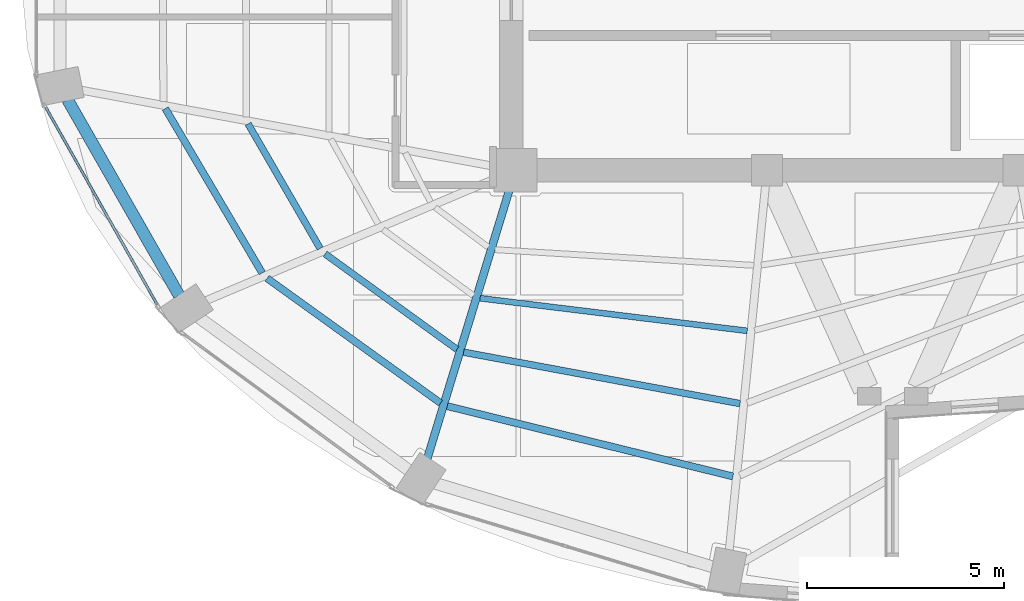
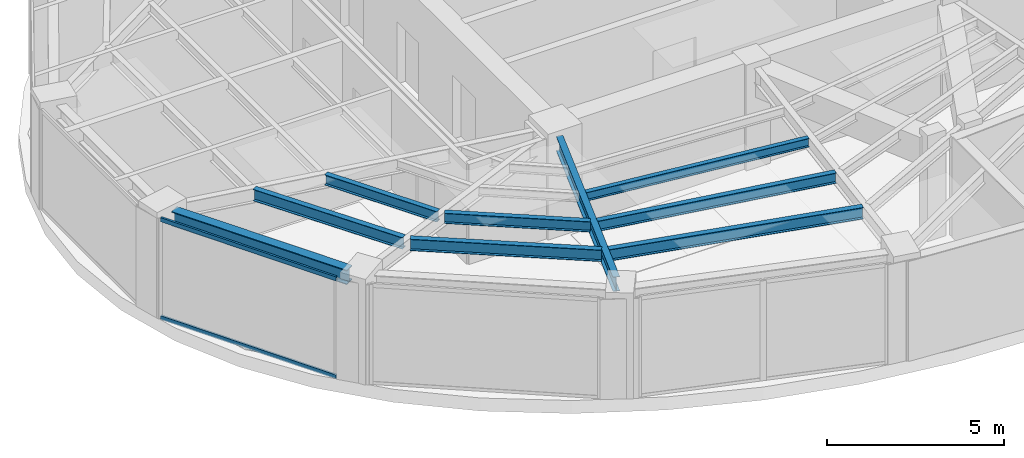
# One storey, part 3 of 23: 9 beams, 2 members, 1 element without a shape of its own.
"""IFC4 building model written with IfcOpenShell, lengths in metres."""

from ifc_helpers import new_model, si_unit, direction, frame, origin, origin_2d, place, context, subcontext, project, spatial, hollow_rectangle, i_section, extrude, material, layer, layer_set, material_profile, profile_set, type_object, element, aggregate, save


model = new_model("IFC4")

# Units and contexts
model_context = context("Model", 3, precision=1e-05, world=origin(), true_north=direction((0.0, 1.0)))
body_context = subcontext(model_context, "Body", "Model", "MODEL_VIEW")
ifc_project = project(units=[si_unit("LENGTHUNIT", "METRE"), si_unit("AREAUNIT", "SQUARE_METRE"), si_unit("VOLUMEUNIT", "CUBIC_METRE"), si_unit("PLANEANGLEUNIT", "RADIAN"), si_unit("MASSUNIT", "GRAM", prefix="KILO")], contexts=[model_context])

# Site, building, storey
site_placement = place(None, origin())
site = spatial("IfcSite", under=ifc_project, at=site_placement, CompositionType="ELEMENT")
building_placement = place(site_placement, origin())
building = spatial("IfcBuilding", under=site, at=building_placement, Name="Lazwardi Medical Tower", CompositionType="ELEMENT")
storey_placement = place(building_placement, frame((0.0, 0.0, 194.83203125)))
storey = spatial("IfcBuildingStorey", under=building, at=storey_placement, Name="L50", CompositionType="ELEMENT", Elevation=194.83203125)

# Beams
ifc_material_1 = material(Name="Steel S355", Category="steel")
ifc_material_profile_1 = material_profile(ifc_material_1, i_section(OverallWidth=0.300048828125, OverallDepth=0.5, WebThickness=0.014404296875, FlangeThickness=0.028076171875, at=origin_2d()), Name="HEB 500")
ifc_profile_set_1 = profile_set([ifc_material_profile_1], Name="Steel S355")
beam_type_1 = type_object("IfcBeamType", Name="BM-RB-Z4", PredefinedType="BEAM", material=ifc_profile_set_1)
beam_1_placement = place(storey_placement, frame((15.008056640625, 22.1982421875, 3.197998046875), z_axis=(0.495125273299, -0.868821594886, 0.0), x_axis=(0.868821594886, 0.495125273299, 0.0)))
element("IfcBeam", 1, at=beam_1_placement, inside=storey, type_object=beam_type_1, Name="Ring beam RB-05 B13 L50", PredefinedType="BEAM", context=body_context, shape_type="SweptSolid", body=[
    extrude(i_section(OverallWidth=0.300048828125, OverallDepth=0.5, WebThickness=0.014404296875, FlangeThickness=0.028076171875, at=origin_2d()), origin(), (0.0, 0.0, 1.0), 5.734130859375),
])
ifc_material_profile_2 = material_profile(ifc_material_1, i_section(OverallWidth=0.199951171875, OverallDepth=0.5, WebThickness=0.01025390625, FlangeThickness=0.01611328125, at=origin_2d()), Name="IPE 500")
ifc_profile_set_2 = profile_set([ifc_material_profile_2], Name="Steel S355")
beam_type_2 = type_object("IfcBeamType", Name="BM-RG-W3", PredefinedType="BEAM", material=ifc_profile_set_2)
beam_2_placement = place(storey_placement, frame((24.156005859375, 13.0576171875, 3.197998046875), z_axis=(0.292276716539, 0.956333791607, 0.0), x_axis=(-0.956333791607, 0.292276716539, 0.0)))
element("IfcBeam", 2, at=beam_2_placement, inside=storey, type_object=beam_type_2, Name="Radial girder RG-04 R15 L50", PredefinedType="BEAM", context=body_context, shape_type="SweptSolid", body=[
    extrude(i_section(OverallWidth=0.199951171875, OverallDepth=0.5, WebThickness=0.01025390625, FlangeThickness=0.01611328125, at=origin_2d()), origin(), (0.0, 0.0, 1.0), 7.142822265625),
])
ifc_material_profile_3 = material_profile(ifc_material_1, i_section(OverallWidth=0.179931640625, OverallDepth=0.39990234375, WebThickness=0.008544921875, FlangeThickness=0.013427734375, at=origin_2d()), Name="IPE 400")
ifc_profile_set_3 = profile_set([ifc_material_profile_3], Name="Steel S355")
beam_type_3 = type_object("IfcBeamType", Name="BM-SJ-01", PredefinedType="JOIST", material=ifc_profile_set_3)
beam_3_placement = place(storey_placement, frame((17.495849609375, 21.969482421875, 3.248046875), z_axis=(0.507710311367, -0.861527851977, 0.0), x_axis=(0.861527851977, 0.507710311367, 0.0)))
element("IfcBeam", 3, at=beam_3_placement, inside=storey, type_object=beam_type_3, Name="Secondary joist SJ-01 R1 B13 L50", PredefinedType="JOIST", context=body_context, shape_type="SweptSolid", body=[
    extrude(i_section(OverallWidth=0.179931640625, OverallDepth=0.39990234375, WebThickness=0.008544921875, FlangeThickness=0.013427734375, at=origin_2d()), origin(), (0.0, 0.0, 1.0), 4.852783203125),
])
beam_4_placement = place(storey_placement, frame((20.085205078125, 17.651123046875, 3.248046875), z_axis=(0.811889581337, -0.58381102055, 0.0), x_axis=(0.58381102055, 0.811889581337, 0.0)))
element("IfcBeam", 4, at=beam_4_placement, inside=storey, type_object=beam_type_3, Name="Secondary joist SJ-01 R1 B14 L50", PredefinedType="JOIST", context=body_context, shape_type="SweptSolid", body=[
    extrude(i_section(OverallWidth=0.179931640625, OverallDepth=0.39990234375, WebThickness=0.008544921875, FlangeThickness=0.013427734375, at=origin_2d()), origin(), (0.0, 0.0, 1.0), 5.433349609375),
])
beam_5_placement = place(storey_placement, frame((24.665771484375, 14.40087890625, 3.248046875), z_axis=(0.971041669317, -0.238910184904, 0.0), x_axis=(0.238910184904, 0.971041669317, 0.0)))
element("IfcBeam", 5, at=beam_5_placement, inside=storey, type_object=beam_type_3, Name="Secondary joist SJ-01 R1 B15 L50", PredefinedType="JOIST", context=body_context, shape_type="SweptSolid", body=[
    extrude(i_section(OverallWidth=0.179931640625, OverallDepth=0.39990234375, WebThickness=0.008544921875, FlangeThickness=0.013427734375, at=origin_2d()), origin(), (0.0, 0.0, 1.0), 7.482421875),
])
ifc_material_profile_4 = material_profile(ifc_material_1, i_section(OverallWidth=0.169921875, OverallDepth=0.360107421875, WebThickness=0.008056640625, FlangeThickness=0.0126953125, at=origin_2d()), Name="IPE 360")
ifc_profile_set_4 = profile_set([ifc_material_profile_4], Name="Steel S355")
beam_type_4 = type_object("IfcBeamType", Name="BM-SJ-02", PredefinedType="JOIST", material=ifc_profile_set_4)
beam_6_placement = place(storey_placement, frame((19.601806640625, 21.58056640625, 3.26806640625), z_axis=(0.500655179543, -0.865646805109, 0.0), x_axis=(0.865646805109, 0.500655179543, 0.0)))
element("IfcBeam", 6, at=beam_6_placement, inside=storey, type_object=beam_type_4, Name="Secondary joist SJ-02 R2 B13 L50", PredefinedType="JOIST", context=body_context, shape_type="SweptSolid", body=[
    extrude(i_section(OverallWidth=0.169921875, OverallDepth=0.360107421875, WebThickness=0.008056640625, FlangeThickness=0.0126953125, at=origin_2d()), origin(), (0.0, 0.0, 1.0), 3.662109375),
])
beam_7_placement = place(storey_placement, frame((21.559814453125, 18.2724609375, 3.26806640625), z_axis=(0.810164229155, -0.586202969796, 0.0), x_axis=(0.586202969796, 0.810164229155, 0.0)))
element("IfcBeam", 7, at=beam_7_placement, inside=storey, type_object=beam_type_4, Name="Secondary joist SJ-02 R2 B14 L50", PredefinedType="JOIST", context=body_context, shape_type="SweptSolid", body=[
    extrude(i_section(OverallWidth=0.169921875, OverallDepth=0.360107421875, WebThickness=0.008056640625, FlangeThickness=0.0126953125, at=origin_2d()), origin(), (0.0, 0.0, 1.0), 4.14013671875),
])
beam_8_placement = place(storey_placement, frame((25.08447265625, 15.7724609375, 3.26806640625), z_axis=(0.983132476587, -0.182894870019, 0.0), x_axis=(0.182894870019, 0.983132476587, 0.0)))
element("IfcBeam", 8, at=beam_8_placement, inside=storey, type_object=beam_type_4, Name="Secondary joist SJ-02 R2 B15 L50", PredefinedType="JOIST", context=body_context, shape_type="SweptSolid", body=[
    extrude(i_section(OverallWidth=0.169921875, OverallDepth=0.360107421875, WebThickness=0.008056640625, FlangeThickness=0.0126953125, at=origin_2d()), origin(), (0.0, 0.0, 1.0), 7.15087890625),
])
ifc_material_profile_5 = material_profile(ifc_material_1, i_section(OverallWidth=0.14990234375, OverallDepth=0.300048828125, WebThickness=0.007080078125, FlangeThickness=0.0107421875, at=origin_2d()), Name="IPE 300")
ifc_profile_set_5 = profile_set([ifc_material_profile_5], Name="Steel S355")
beam_type_5 = type_object("IfcBeamType", Name="BM-SJ-03", PredefinedType="JOIST", material=ifc_profile_set_5)
beam_9_placement = place(storey_placement, frame((25.5029296875, 17.14453125, 3.2978515625), z_axis=(0.992634689535, -0.121146081783, 0.0), x_axis=(0.121146081783, 0.992634689535, 0.0)))
element("IfcBeam", 9, at=beam_9_placement, inside=storey, type_object=beam_type_5, Name="Secondary joist SJ-03 R3 B15 L50", PredefinedType="JOIST", context=body_context, shape_type="SweptSolid", body=[
    extrude(i_section(OverallWidth=0.14990234375, OverallDepth=0.300048828125, WebThickness=0.007080078125, FlangeThickness=0.0107421875, at=origin_2d()), origin(), (0.0, 0.0, 1.0), 6.845947265625),
])

# Curtain wall, members
ifc_material_2 = material(Name="Anodised bronze aluminium and solar control glazing", Category="aluminium")
ifc_layer = layer(ifc_material_2, 0.18994140625)
ifc_layer_set = layer_set([ifc_layer], Name="Anodised bronze aluminium and solar control glazing")
curtain_wall_type = type_object("IfcCurtainWallType", Name="CW-SYS-04", PredefinedType="NOTDEFINED", material=ifc_layer_set)
curtain_wall_placement = place(storey_placement, origin())
curtain_wall = element("IfcCurtainWall", 10, at=curtain_wall_placement, inside=storey, type_object=curtain_wall_type, Name="L50 Unitised bronze curtain wall CW-04", PredefinedType="NOTDEFINED")
ifc_material_3 = material(Name="Anodised bronze aluminium", Category="aluminium")
ifc_material_profile_6 = material_profile(ifc_material_3, hollow_rectangle(XDim=0.06494140625, YDim=0.139892578125, WallThickness=0.00341796875, at=origin_2d()), Name="ALU-TRANSOM 140x65x3.5")
ifc_profile_set_6 = profile_set([ifc_material_profile_6], Name="Anodised bronze aluminium")
member_type = type_object("IfcMemberType", Name="CW-TRN-03", PredefinedType="USERDEFINED", material=ifc_profile_set_6)
member_1_placement = place(storey_placement, frame((14.458740234375, 21.993408203125, 0.032470703125), z_axis=(0.491897887635, -0.870652897623, 0.0), x_axis=(0.870652897623, 0.491897887635, 0.0)))
member_1 = element("IfcMember", 11, at=member_1_placement, type_object=member_type, Name="CW-04 transom 1.1", ObjectType="TRANSOM", PredefinedType="USERDEFINED", context=body_context, shape_type="SweptSolid", body=[
    extrude(hollow_rectangle(XDim=0.06494140625, YDim=0.139892578125, WallThickness=0.00341796875, at=origin_2d()), origin(), (0.0, 0.0, 1.0), 5.7548828125),
])
member_2_placement = place(storey_placement, frame((14.458740234375, 21.993408203125, 3.41552734375), z_axis=(0.491897887635, -0.870652897623, 0.0), x_axis=(0.870652897623, 0.491897887635, 0.0)))
member_2 = element("IfcMember", 12, at=member_2_placement, type_object=member_type, Name="CW-04 transom 1.2", ObjectType="TRANSOM", PredefinedType="USERDEFINED", context=body_context, shape_type="SweptSolid", body=[
    extrude(hollow_rectangle(XDim=0.06494140625, YDim=0.139892578125, WallThickness=0.00341796875, at=origin_2d()), origin(), (0.0, 0.0, 1.0), 5.7548828125),
])
aggregate(curtain_wall, [member_1, member_2])

save(model, "model.ifc")
